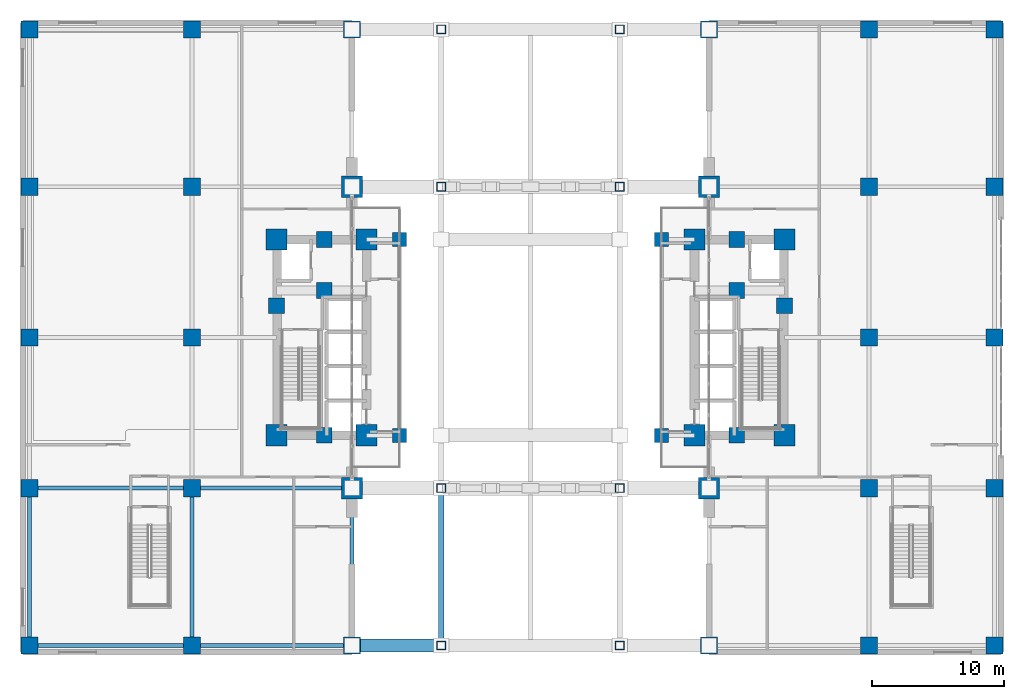
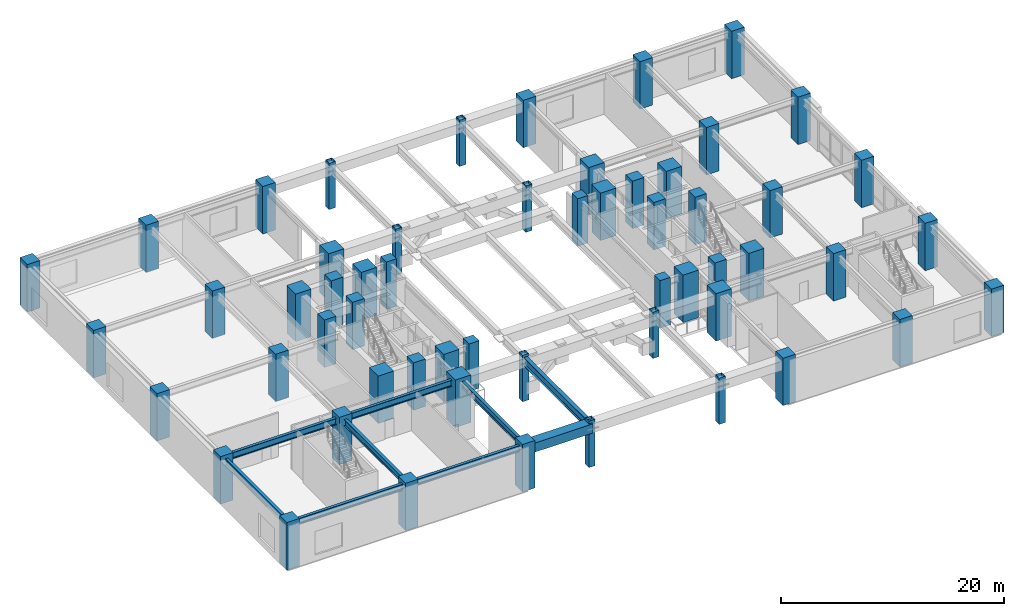
# One storey, part 1 of 26: 56 columns, 9 beams.
"""IFC4 building model written with IfcOpenShell, lengths in metres."""

from ifc_helpers import new_model, si_unit, direction, frame, origin, origin_2d, place, context, subcontext, project, spatial, rectangle, hollow_rectangle, i_section, extrude, material, material_profile, profile_set, type_object, element, save


model = new_model("IFC4")

# Units and contexts
model_context = context("Model", 3, precision=1e-05, world=origin(), true_north=direction((0.0, 1.0)))
body_context = subcontext(model_context, "Body", "Model", "MODEL_VIEW")
ifc_project = project(units=[si_unit("LENGTHUNIT", "METRE"), si_unit("AREAUNIT", "SQUARE_METRE"), si_unit("VOLUMEUNIT", "CUBIC_METRE"), si_unit("PLANEANGLEUNIT", "RADIAN"), si_unit("MASSUNIT", "GRAM", prefix="KILO")], contexts=[model_context])

# Site, building, storey
site_placement = place(None, origin())
site = spatial("IfcSite", under=ifc_project, at=site_placement, CompositionType="ELEMENT")
building_placement = place(site_placement, origin())
building = spatial("IfcBuilding", under=site, at=building_placement, Name="Voryun Gate Residences", CompositionType="ELEMENT")
storey_placement = place(building_placement, frame((0.0, 0.0, 15.60009765625)))
storey = spatial("IfcBuildingStorey", under=building, at=storey_placement, Name="L03", CompositionType="ELEMENT", Elevation=15.60009765625)

# Columns
ifc_material_1 = material(Name="Steel SM420", Category="steel")
ifc_material_profile_1 = material_profile(ifc_material_1, hollow_rectangle(XDim=0.64990234375, YDim=0.64990234375, WallThickness=0.028076171875, at=origin_2d()), Name="BOX-650x650x28")
ifc_profile_set_1 = profile_set([ifc_material_profile_1], Name="Steel SM420")
column_type_1 = type_object("IfcColumnType", Name="COL_ARCH_SPANDREL", PredefinedType="COLUMN", material=ifc_profile_set_1)
for number, where, z_axis, x_axis, name in (
    (1, (-6.75, -23.300048828125, 0.0), (0.0, 0.0, 1.0), (1.0, 0.0, 0.0), "L03 Gate Portal Column (-6.75,-23.3)"),
    (2, (-6.75, -11.39990234375, 0.0), (0.0, 0.0, 1.0), (1.0, 0.0, 0.0), "L03 Gate Portal Column (-6.75,-11.4)"),
    (3, (-6.75, 11.39990234375, 0.0), (0.0, 0.0, 1.0), (1.0, 0.0, 0.0), "L03 Gate Portal Column (-6.75,+11.4)"),
    (4, (-6.75, 23.300048828125, 0.0), (0.0, 0.0, 1.0), (1.0, 0.0, 0.0), "L03 Gate Portal Column (-6.75,+23.3)"),
    (5, (6.75, -23.300048828125, 0.0), (0.0, 0.0, 1.0), (1.0, 0.0, 0.0), "L03 Gate Portal Column (+6.75,-23.3)"),
    (6, (6.75, -11.39990234375, 0.0), (0.0, 0.0, 1.0), (1.0, 0.0, 0.0), "L03 Gate Portal Column (+6.75,-11.4)"),
    (7, (6.75, 11.39990234375, 0.0), (0.0, 0.0, 1.0), (1.0, 0.0, 0.0), "L03 Gate Portal Column (+6.75,+11.4)"),
    (8, (6.75, 23.300048828125, 0.0), (0.0, 0.0, 1.0), (1.0, 0.0, 0.0), "L03 Gate Portal Column (+6.75,+23.3)"),
):
    element("IfcColumn", number, at=place(storey_placement, frame(where, z_axis=z_axis, x_axis=x_axis)), inside=storey, type_object=column_type_1, Name=name, PredefinedType="COLUMN", context=body_context, shape_type="SweptSolid", body=[
        extrude(hollow_rectangle(XDim=0.64990234375, YDim=0.64990234375, WallThickness=0.028076171875, at=origin_2d()), origin(), (0.0, 0.0, 1.0), 5.079833984375),
    ])
ifc_material_2 = material(Name="Concrete C50/60", Category="concrete")
ifc_material_profile_2 = material_profile(ifc_material_2, rectangle(XDim=1.050048828125, YDim=1.050048828125, at=origin_2d()), Name="RC-1050x1050")
ifc_profile_set_2 = profile_set([ifc_material_profile_2], Name="Concrete C50/60")
column_type_2 = type_object("IfcColumnType", Name="COL_CORE_1050", PredefinedType="COLUMN", material=ifc_profile_set_2)
for number, where, z_axis, x_axis, name in (
    (9, (-9.89990234375, -7.39990234375, 0.0), (0.0, 0.0, 1.0), (1.0, 0.0, 0.0), "L03 Core collar column CLR-WS"),
    (10, (-9.89990234375, 7.39990234375, 0.0), (0.0, 0.0, 1.0), (1.0, 0.0, 0.0), "L03 Core collar column CLR-WN"),
    (11, (9.89990234375, -7.39990234375, 0.0), (0.0, 0.0, 1.0), (1.0, 0.0, 0.0), "L03 Core collar column CLR-ES"),
    (12, (9.89990234375, 7.39990234375, 0.0), (0.0, 0.0, 1.0), (1.0, 0.0, 0.0), "L03 Core collar column CLR-EN"),
):
    element("IfcColumn", number, at=place(storey_placement, frame(where, z_axis=z_axis, x_axis=x_axis)), inside=storey, type_object=column_type_2, Name=name, PredefinedType="COLUMN", context=body_context, shape_type="SweptSolid", body=[
        extrude(rectangle(XDim=1.050048828125, YDim=1.050048828125, at=origin_2d()), origin(), (0.0, 0.0, 1.0), 5.199951171875),
    ])
ifc_material_3 = material(Name="Concrete C60/75", Category="concrete")
ifc_material_profile_3 = material_profile(ifc_material_3, rectangle(XDim=1.199951171875, YDim=1.199951171875, at=origin_2d()), Name="RC-1200x1200")
ifc_profile_set_3 = profile_set([ifc_material_profile_3], Name="Concrete C60/75")
column_type_3 = type_object("IfcColumnType", Name="COL_CORE_1200", PredefinedType="COLUMN", material=ifc_profile_set_3)
for number, where, z_axis, x_axis, name in (
    (13, (-19.199951171875, 2.39990234375, 0.0), (0.0, 0.0, 1.0), (1.0, 0.0, 0.0), "L03 Core boundary column WC-MW"),
    (14, (-15.60009765625, -7.39990234375, 0.0), (0.0, 0.0, 1.0), (1.0, 0.0, 0.0), "L03 Core boundary column WC-SM"),
    (15, (-15.60009765625, 7.39990234375, 0.0), (0.0, 0.0, 1.0), (1.0, 0.0, 0.0), "L03 Core boundary column WC-NM"),
    (16, (-15.60009765625, 3.550048828125, 0.0), (0.0, 0.0, 1.0), (1.0, 0.0, 0.0), "L03 Core boundary column WC-MM"),
    (17, (15.60009765625, 3.550048828125, 0.0), (0.0, 0.0, 1.0), (1.0, 0.0, 0.0), "L03 Core boundary column EC-MM"),
    (18, (15.60009765625, -7.39990234375, 0.0), (0.0, 0.0, 1.0), (1.0, 0.0, 0.0), "L03 Core boundary column EC-SM"),
    (19, (15.60009765625, 7.39990234375, 0.0), (0.0, 0.0, 1.0), (1.0, 0.0, 0.0), "L03 Core boundary column EC-NM"),
    (20, (19.199951171875, 2.39990234375, 0.0), (0.0, 0.0, 1.0), (1.0, 0.0, 0.0), "L03 Core boundary column EC-ME"),
):
    element("IfcColumn", number, at=place(storey_placement, frame(where, z_axis=z_axis, x_axis=x_axis)), inside=storey, type_object=column_type_3, Name=name, PredefinedType="COLUMN", context=body_context, shape_type="SweptSolid", body=[
        extrude(rectangle(XDim=1.199951171875, YDim=1.199951171875, at=origin_2d()), origin(), (0.0, 0.0, 1.0), 5.199951171875),
    ])
ifc_material_4 = material(Name="Concrete C60/75", Category="concrete")
ifc_material_profile_4 = material_profile(ifc_material_4, rectangle(XDim=1.300048828125, YDim=1.300048828125, at=origin_2d()), Name="RC-1300x1300")
ifc_profile_set_4 = profile_set([ifc_material_profile_4], Name="Concrete C60/75")
column_type_4 = type_object("IfcColumnType", Name="COL_MEGA_1300", PredefinedType="COLUMN", material=ifc_profile_set_4)
for number, where, z_axis, x_axis, name in (
    (21, (-37.89990234375, -23.300048828125, 0.0), (0.0, 0.0, 1.0), (1.0, 0.0, 0.0), "L03 Podium pier column W11"),
    (22, (-37.89990234375, -11.39990234375, 0.0), (0.0, 0.0, 1.0), (1.0, 0.0, 0.0), "L03 Podium pier column W12"),
    (23, (-37.89990234375, 0.0, 0.0), (0.0, 0.0, 1.0), (1.0, 0.0, 0.0), "L03 Podium pier column W13"),
    (24, (-37.89990234375, 11.39990234375, 0.0), (0.0, 0.0, 1.0), (1.0, 0.0, 0.0), "L03 Podium pier column W14"),
    (25, (-37.89990234375, 23.300048828125, 0.0), (0.0, 0.0, 1.0), (1.0, 0.0, 0.0), "L03 Podium pier column W15"),
    (26, (-25.60009765625, -23.300048828125, 0.0), (0.0, 0.0, 1.0), (1.0, 0.0, 0.0), "L03 Podium pier column W21"),
    (27, (-25.60009765625, -11.39990234375, 0.0), (0.0, 0.0, 1.0), (1.0, 0.0, 0.0), "L03 Podium pier column W22"),
    (28, (-25.60009765625, 0.0, 0.0), (0.0, 0.0, 1.0), (1.0, 0.0, 0.0), "L03 Podium pier column W23"),
    (29, (-25.60009765625, 11.39990234375, 0.0), (0.0, 0.0, 1.0), (1.0, 0.0, 0.0), "L03 Podium pier column W24"),
    (30, (-25.60009765625, 23.300048828125, 0.0), (0.0, 0.0, 1.0), (1.0, 0.0, 0.0), "L03 Podium pier column W25"),
    (31, (-13.5, -23.300048828125, 0.0), (0.0, 0.0, 1.0), (1.0, 0.0, 0.0), "L03 Podium pier column W31"),
    (32, (-13.5, 23.300048828125, 0.0), (0.0, 0.0, 1.0), (1.0, 0.0, 0.0), "L03 Podium pier column W35"),
    (33, (13.5, -23.300048828125, 0.0), (0.0, 0.0, 1.0), (1.0, 0.0, 0.0), "L03 Podium pier column E11"),
    (34, (13.5, 23.300048828125, 0.0), (0.0, 0.0, 1.0), (1.0, 0.0, 0.0), "L03 Podium pier column E15"),
    (35, (25.60009765625, -23.300048828125, 0.0), (0.0, 0.0, 1.0), (1.0, 0.0, 0.0), "L03 Podium pier column E21"),
    (36, (25.60009765625, -11.39990234375, 0.0), (0.0, 0.0, 1.0), (1.0, 0.0, 0.0), "L03 Podium pier column E22"),
    (37, (25.60009765625, 0.0, 0.0), (0.0, 0.0, 1.0), (1.0, 0.0, 0.0), "L03 Podium pier column E23"),
    (38, (25.60009765625, 11.39990234375, 0.0), (0.0, 0.0, 1.0), (1.0, 0.0, 0.0), "L03 Podium pier column E24"),
    (39, (25.60009765625, 23.300048828125, 0.0), (0.0, 0.0, 1.0), (1.0, 0.0, 0.0), "L03 Podium pier column E25"),
    (40, (35.10009765625, -23.300048828125, 0.0), (0.0, 0.0, 1.0), (1.0, 0.0, 0.0), "L03 Podium pier column E31"),
    (41, (35.10009765625, -11.39990234375, 0.0), (0.0, 0.0, 1.0), (1.0, 0.0, 0.0), "L03 Podium pier column E32"),
    (42, (35.10009765625, 0.0, 0.0), (0.0, 0.0, 1.0), (1.0, 0.0, 0.0), "L03 Podium pier column E33"),
    (43, (35.10009765625, 11.39990234375, 0.0), (0.0, 0.0, 1.0), (1.0, 0.0, 0.0), "L03 Podium pier column E34"),
    (44, (35.10009765625, 23.300048828125, 0.0), (0.0, 0.0, 1.0), (1.0, 0.0, 0.0), "L03 Podium pier column E35"),
):
    element("IfcColumn", number, at=place(storey_placement, frame(where, z_axis=z_axis, x_axis=x_axis)), inside=storey, type_object=column_type_4, Name=name, PredefinedType="COLUMN", context=body_context, shape_type="SweptSolid", body=[
        extrude(rectangle(XDim=1.300048828125, YDim=1.300048828125, at=origin_2d()), origin(), (0.0, 0.0, 1.0), 5.199951171875),
    ])
ifc_material_5 = material(Name="Concrete C60/75", Category="concrete")
ifc_material_profile_5 = material_profile(ifc_material_5, rectangle(XDim=1.60009765625, YDim=1.60009765625, at=origin_2d()), Name="RC-1600x1600")
ifc_profile_set_5 = profile_set([ifc_material_profile_5], Name="Concrete C60/75")
column_type_5 = type_object("IfcColumnType", Name="COL_MEGA_1600", PredefinedType="COLUMN", material=ifc_profile_set_5)
for number, where, z_axis, x_axis, name in (
    (45, (-19.199951171875, -7.39990234375, 0.0), (0.0, 0.0, 1.0), (1.0, 0.0, 0.0), "L03 Core boundary column WC-SW"),
    (46, (-19.199951171875, 7.39990234375, 0.0), (0.0, 0.0, 1.0), (1.0, 0.0, 0.0), "L03 Core boundary column WC-NW"),
    (47, (-12.39990234375, -7.39990234375, 0.0), (0.0, 0.0, 1.0), (1.0, 0.0, 0.0), "L03 Core boundary column WC-SE"),
    (48, (-12.39990234375, 7.39990234375, 0.0), (0.0, 0.0, 1.0), (1.0, 0.0, 0.0), "L03 Core boundary column WC-NE"),
    (49, (12.39990234375, -7.39990234375, 0.0), (0.0, 0.0, 1.0), (1.0, 0.0, 0.0), "L03 Core boundary column EC-SW"),
    (50, (12.39990234375, 7.39990234375, 0.0), (0.0, 0.0, 1.0), (1.0, 0.0, 0.0), "L03 Core boundary column EC-NW"),
    (51, (19.199951171875, -7.39990234375, 0.0), (0.0, 0.0, 1.0), (1.0, 0.0, 0.0), "L03 Core boundary column EC-SE"),
    (52, (19.199951171875, 7.39990234375, 0.0), (0.0, 0.0, 1.0), (1.0, 0.0, 0.0), "L03 Core boundary column EC-NE"),
    (53, (-13.5, -11.39990234375, 0.0), (0.0, 0.0, 1.0), (1.0, 0.0, 0.0), "L03 Podium pier column W32"),
    (54, (-13.5, 11.39990234375, 0.0), (0.0, 0.0, 1.0), (1.0, 0.0, 0.0), "L03 Podium pier column W34"),
    (55, (13.5, -11.39990234375, 0.0), (0.0, 0.0, 1.0), (1.0, 0.0, 0.0), "L03 Podium pier column E12"),
    (56, (13.5, 11.39990234375, 0.0), (0.0, 0.0, 1.0), (1.0, 0.0, 0.0), "L03 Podium pier column E14"),
):
    element("IfcColumn", number, at=place(storey_placement, frame(where, z_axis=z_axis, x_axis=x_axis)), inside=storey, type_object=column_type_5, Name=name, PredefinedType="COLUMN", context=body_context, shape_type="SweptSolid", body=[
        extrude(rectangle(XDim=1.60009765625, YDim=1.60009765625, at=origin_2d()), origin(), (0.0, 0.0, 1.0), 5.199951171875),
    ])

# Beams
ifc_material_6 = material(Name="Steel SM420", Category="steel")
ifc_material_profile_6 = material_profile(ifc_material_6, hollow_rectangle(XDim=1.0, YDim=1.0, WallThickness=0.031982421875, at=origin_2d()), Name="BOX-1000x1000x32")
ifc_profile_set_6 = profile_set([ifc_material_profile_6], Name="Steel SM420")
beam_type_1 = type_object("IfcBeamType", Name="BM_ARCH_TIE", PredefinedType="USERDEFINED", material=ifc_profile_set_6)
beam_1_placement = place(storey_placement, frame((-13.5, -23.300048828125, 4.2998046875), z_axis=(1.0, 0.0, 0.0), x_axis=(0.0, 1.0, 0.0)))
element("IfcBeam", 57, at=beam_1_placement, inside=storey, type_object=beam_type_1, Name="BM-L03-ARCH-EDGE--23.3-0", ObjectType="GIRDER", PredefinedType="USERDEFINED", context=body_context, shape_type="SweptSolid", body=[
    extrude(hollow_rectangle(XDim=1.0, YDim=1.0, WallThickness=0.031982421875, at=origin_2d()), origin(), (0.0, 0.0, 1.0), 6.75),
])
ifc_material_7 = material(Name="Steel SM355", Category="steel")
ifc_material_profile_7 = material_profile(ifc_material_7, i_section(OverallWidth=0.300048828125, OverallDepth=0.699951171875, WebThickness=0.012939453125, FlangeThickness=0.02392578125, FilletRadius=0.01806640625, at=origin_2d()), Name="H-700x300x13x24")
ifc_profile_set_7 = profile_set([ifc_material_profile_7], Name="Steel SM355")
beam_type_2 = type_object("IfcBeamType", Name="BM_GIRD_700", PredefinedType="USERDEFINED", material=ifc_profile_set_7)
beam_2_placement = place(storey_placement, frame((-37.89990234375, -23.300048828125, 4.449951171875), z_axis=(1.0, 0.0, 0.0), x_axis=(0.0, 1.0, 0.0)))
element("IfcBeam", 58, at=beam_2_placement, inside=storey, type_object=beam_type_2, Name="BM-L03-PWX--23.3-0", ObjectType="GIRDER", PredefinedType="USERDEFINED", context=body_context, shape_type="SweptSolid", body=[
    extrude(i_section(OverallWidth=0.300048828125, OverallDepth=0.699951171875, WebThickness=0.012939453125, FlangeThickness=0.02392578125, FilletRadius=0.01806640625, at=origin_2d()), origin(), (0.0, 0.0, 1.0), 12.2998046875),
])
beam_3_placement = place(storey_placement, frame((-25.60009765625, -23.300048828125, 4.449951171875), z_axis=(1.0, 0.0, 0.0), x_axis=(0.0, 1.0, 0.0)))
element("IfcBeam", 59, at=beam_3_placement, inside=storey, type_object=beam_type_2, Name="BM-L03-PWX--23.3-1", ObjectType="GIRDER", PredefinedType="USERDEFINED", context=body_context, shape_type="SweptSolid", body=[
    extrude(i_section(OverallWidth=0.300048828125, OverallDepth=0.699951171875, WebThickness=0.012939453125, FlangeThickness=0.02392578125, FilletRadius=0.01806640625, at=origin_2d()), origin(), (0.0, 0.0, 1.0), 12.10009765625),
])
beam_4_placement = place(storey_placement, frame((-37.89990234375, -11.39990234375, 4.449951171875), z_axis=(1.0, 0.0, 0.0), x_axis=(0.0, 1.0, 0.0)))
element("IfcBeam", 60, at=beam_4_placement, inside=storey, type_object=beam_type_2, Name="BM-L03-PWX--11.4-0", ObjectType="GIRDER", PredefinedType="USERDEFINED", context=body_context, shape_type="SweptSolid", body=[
    extrude(i_section(OverallWidth=0.300048828125, OverallDepth=0.699951171875, WebThickness=0.012939453125, FlangeThickness=0.02392578125, FilletRadius=0.01806640625, at=origin_2d()), origin(), (0.0, 0.0, 1.0), 12.2998046875),
])
beam_5_placement = place(storey_placement, frame((-25.60009765625, -11.39990234375, 4.449951171875), z_axis=(1.0, 0.0, 0.0), x_axis=(0.0, 1.0, 0.0)))
element("IfcBeam", 61, at=beam_5_placement, inside=storey, type_object=beam_type_2, Name="BM-L03-PWX--11.4-1", ObjectType="GIRDER", PredefinedType="USERDEFINED", context=body_context, shape_type="SweptSolid", body=[
    extrude(i_section(OverallWidth=0.300048828125, OverallDepth=0.699951171875, WebThickness=0.012939453125, FlangeThickness=0.02392578125, FilletRadius=0.01806640625, at=origin_2d()), origin(), (0.0, 0.0, 1.0), 12.10009765625),
])
for number, where, z_axis, x_axis, name in (
    (62, (-37.89990234375, -23.300048828125, 4.449951171875), (0.0, 1.0, 0.0), (-1.0, 0.0, 0.0), "BM-L03-PWY--37.9-0"),
    (63, (-25.60009765625, -23.300048828125, 4.449951171875), (0.0, 1.0, 0.0), (-1.0, 0.0, 0.0), "BM-L03-PWY--25.6-0"),
    (64, (-13.5, -23.300048828125, 4.449951171875), (0.0, 1.0, 0.0), (-1.0, 0.0, 0.0), "BM-L03-PWYA--23.3"),
):
    element("IfcBeam", number, at=place(storey_placement, frame(where, z_axis=z_axis, x_axis=x_axis)), inside=storey, type_object=beam_type_2, Name=name, ObjectType="GIRDER", PredefinedType="USERDEFINED", context=body_context, shape_type="SweptSolid", body=[
        extrude(i_section(OverallWidth=0.300048828125, OverallDepth=0.699951171875, WebThickness=0.012939453125, FlangeThickness=0.02392578125, FilletRadius=0.01806640625, at=origin_2d()), origin(), (0.0, 0.0, 1.0), 11.900146484375),
    ])
ifc_material_8 = material(Name="Steel SM420", Category="steel")
ifc_material_profile_8 = material_profile(ifc_material_8, i_section(OverallWidth=0.39990234375, OverallDepth=0.89990234375, WebThickness=0.01806640625, FlangeThickness=0.031982421875, FilletRadius=0.01806640625, at=origin_2d()), Name="H-900x400x18x32")
ifc_profile_set_8 = profile_set([ifc_material_profile_8], Name="Steel SM420")
beam_type_3 = type_object("IfcBeamType", Name="BM_POD_TRUSS_CHD", PredefinedType="USERDEFINED", material=ifc_profile_set_8)
beam_6_placement = place(storey_placement, frame((-6.75, -23.300048828125, 4.349853515625), z_axis=(0.0, 1.0, 0.0), x_axis=(-1.0, 0.0, 0.0)))
element("IfcBeam", 65, at=beam_6_placement, inside=storey, type_object=beam_type_3, Name="BM-L03-ARCH-XDECK-S--6.75", ObjectType="GIRDER", PredefinedType="USERDEFINED", context=body_context, shape_type="SweptSolid", body=[
    extrude(i_section(OverallWidth=0.39990234375, OverallDepth=0.89990234375, WebThickness=0.01806640625, FlangeThickness=0.031982421875, FilletRadius=0.01806640625, at=origin_2d()), origin(), (0.0, 0.0, 1.0), 11.900146484375),
])

save(model, "model.ifc")
